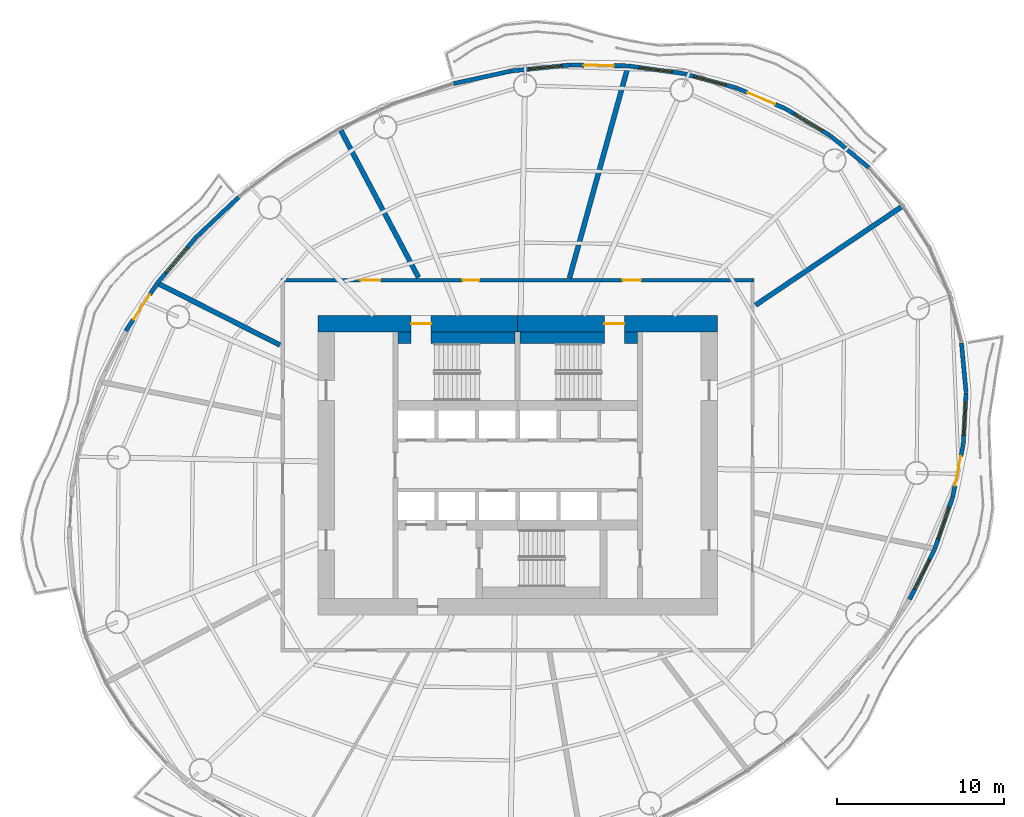
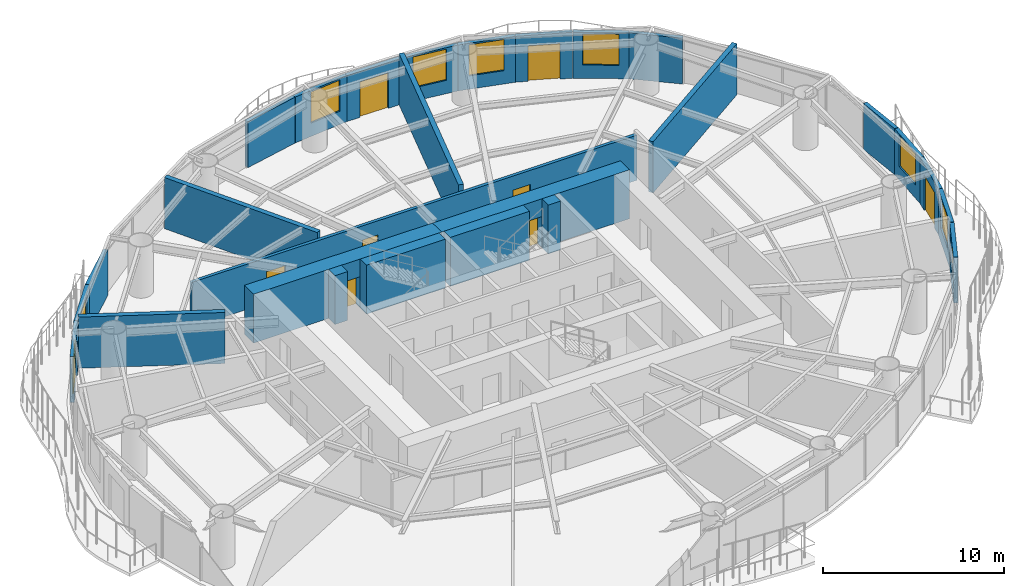
# One storey, part 10 of 16: 27 walls, 9 doors, 8 windows, 17 openings.
"""IFC4 building model written with IfcOpenShell, lengths in metres."""

from ifc_helpers import new_model, si_unit, direction, frame, frame_2d, origin, place, context, subcontext, project, spatial, rectangle, extrude, material, layer, layer_set, type_object, element, fill, save


model = new_model("IFC4")

# Units and contexts
model_context = context("Model", 3, precision=1e-05, world=origin(), true_north=direction((0.0, 1.0)))
body_context = subcontext(model_context, "Body", "Model", "MODEL_VIEW")
ifc_project = project(units=[si_unit("LENGTHUNIT", "METRE"), si_unit("AREAUNIT", "SQUARE_METRE"), si_unit("VOLUMEUNIT", "CUBIC_METRE"), si_unit("PLANEANGLEUNIT", "RADIAN"), si_unit("MASSUNIT", "GRAM", prefix="KILO")], contexts=[model_context])

# Site, building, storey
site_placement = place(None, origin())
site = spatial("IfcSite", under=ifc_project, at=site_placement, CompositionType="ELEMENT")
building_placement = place(site_placement, origin())
building = spatial("IfcBuilding", under=site, at=building_placement, Name="Vermilion Reach Broadcast Tower", CompositionType="ELEMENT")
storey_placement = place(building_placement, frame((0.0, 0.0, 147.0)))
storey = spatial("IfcBuildingStorey", under=building, at=storey_placement, Name="L34", CompositionType="ELEMENT", Elevation=147.0)

# Wall, opening, door
ifc_material_1 = material(Name="Concrete C70", Category="concrete")
ifc_layer_1 = layer(ifc_material_1, 1.0)
ifc_layer_set_1 = layer_set([ifc_layer_1], Name="Core outer wall 1000 mm Concrete C70")
wall_type_1 = type_object("IfcWallType", Name="Core outer wall 1000 mm Concrete C70", PredefinedType="SHEAR", material=ifc_layer_set_1)
wall_1_placement = place(storey_placement, frame((6.0, 8.5, 0.0), z_axis=(0.0, 0.0, 1.0), x_axis=(-1.0, 0.0, 0.0)))
wall_1 = element("IfcWall", 1, at=wall_1_placement, inside=storey, type_object=wall_type_1, Name="L34 core wall onE", PredefinedType="SHEAR", context=body_context, shape_type="SweptSolid", body=[
    extrude(rectangle(XDim=12.0, YDim=1.0, at=frame_2d((6.0, 0.0))), origin(), (0.0, 0.0, 1.0), 3.300048828125),
])
opening_1_placement = place(wall_1_placement, frame((5.60009765625, 0.0, 0.0)))
opening_1 = element("IfcOpeningElement", 2, at=opening_1_placement, cuts=wall_1, Name="Opening D01", PredefinedType="OPENING", context=body_context, shape_type="SweptSolid", body=[
    extrude(rectangle(XDim=1.199951171875, YDim=2.10009765625, at=frame_2d((0.60009765625, 1.050048828125))), frame((0.0, 0.510009765625, 0.0), z_axis=(0.0, -1.0, 0.0), x_axis=(1.0, 0.0, 0.0)), (0.0, 0.0, 1.0), 1.02001953125),
])
ifc_material_2 = material(Name="Painted steel fire door", Category="steel")
door_type_1 = type_object("IfcDoorType", Name="Stair door 1200 x 2100", OperationType="DOUBLE_DOOR_SINGLE_SWING", PredefinedType="NOTDEFINED", material=ifc_material_2)
door_1_placement = place(opening_1_placement, origin())
door_1 = element("IfcDoor", 3, at=door_1_placement, inside=storey, type_object=door_type_1, Name="L34 stair door ST2", OperationType="DOUBLE_DOOR_SINGLE_SWING", OverallHeight=2.10009765625, OverallWidth=1.199951171875, PredefinedType="NOTDEFINED", context=body_context, shape_type="SweptSolid", body=[
    extrude(rectangle(XDim=1.199951171875, YDim=2.10009765625, at=frame_2d((0.60009765625, 1.050048828125))), frame((0.0, 0.02490234375, 0.0), z_axis=(0.0, -1.0, 0.0), x_axis=(1.0, 0.0, 0.0)), (0.0, 0.0, 1.0), 0.050048828125),
])
fill(opening_1, door_1)

wall_2_placement = place(storey_placement, frame((-6.0, 8.5, 0.0), z_axis=(0.0, 0.0, 1.0), x_axis=(-1.0, 0.0, 0.0)))
wall_2 = element("IfcWall", 4, at=wall_2_placement, inside=storey, type_object=wall_type_1, Name="L34 core wall onW", PredefinedType="SHEAR", context=body_context, shape_type="SweptSolid", body=[
    extrude(rectangle(XDim=12.0, YDim=1.0, at=frame_2d((6.0, 0.0))), origin(), (0.0, 0.0, 1.0), 3.300048828125),
])
opening_2_placement = place(wall_2_placement, frame((5.199951171875, 0.0, 0.0)))
opening_2 = element("IfcOpeningElement", 5, at=opening_2_placement, cuts=wall_2, Name="Opening D01", PredefinedType="OPENING", context=body_context, shape_type="SweptSolid", body=[
    extrude(rectangle(XDim=1.199951171875, YDim=2.10009765625, at=frame_2d((0.60009765625, 1.050048828125))), frame((0.0, 0.510009765625, 0.0), z_axis=(0.0, -1.0, 0.0), x_axis=(1.0, 0.0, 0.0)), (0.0, 0.0, 1.0), 1.02001953125),
])
door_2_placement = place(opening_2_placement, origin())
door_2 = element("IfcDoor", 6, at=door_2_placement, inside=storey, type_object=door_type_1, Name="L34 stair door ST1", OperationType="DOUBLE_DOOR_SINGLE_SWING", OverallHeight=2.10009765625, OverallWidth=1.199951171875, PredefinedType="NOTDEFINED", context=body_context, shape_type="SweptSolid", body=[
    extrude(rectangle(XDim=1.199951171875, YDim=2.10009765625, at=frame_2d((0.60009765625, 1.050048828125))), frame((0.0, 0.02490234375, 0.0), z_axis=(0.0, -1.0, 0.0), x_axis=(1.0, 0.0, 0.0)), (0.0, 0.0, 1.0), 0.050048828125),
])
fill(opening_2, door_2)

# Walls
ifc_material_3 = material(Name="Concrete C70", Category="concrete")
ifc_layer_2 = layer(ifc_material_3, 0.699951171875)
ifc_layer_set_2 = layer_set([ifc_layer_2], Name="Core stair wall 700 mm Concrete C70")
wall_type_2 = type_object("IfcWallType", Name="Core stair wall 700 mm Concrete C70", PredefinedType="SHEAR", material=ifc_layer_set_2)
wall_3_placement = place(storey_placement, frame((-13.199951171875, 7.64990234375, 0.0), z_axis=(0.0, 0.0, 1.0), x_axis=(1.0, 0.0, 0.0)))
element("IfcWall", 7, at=wall_3_placement, inside=storey, type_object=wall_type_2, Name="L34 core wall l1a", PredefinedType="SHEAR", context=body_context, shape_type="SweptSolid", body=[
    extrude(rectangle(XDim=0.800048828125, YDim=0.699951171875, at=frame_2d((0.39990234375, 0.0))), origin(), (0.0, 0.0, 1.0), 3.300048828125),
])
for number, where, z_axis, x_axis, name in (
    (8, (-11.199951171875, 7.64990234375, 0.0), (0.0, 0.0, 1.0), (1.0, 0.0, 0.0), "L34 core wall l1b"),
    (9, (-5.85009765625, 7.64990234375, 0.0), (0.0, 0.0, 1.0), (1.0, 0.0, 0.0), "L34 core wall l2a"),
):
    element("IfcWall", number, at=place(storey_placement, frame(where, z_axis=z_axis, x_axis=x_axis)), inside=storey, type_object=wall_type_2, Name=name, PredefinedType="SHEAR", context=body_context, shape_type="SweptSolid", body=[
        extrude(rectangle(XDim=5.050048828125, YDim=0.699951171875, at=frame_2d((2.52490234375, 0.0))), origin(), (0.0, 0.0, 1.0), 3.300048828125),
    ])
wall_4_placement = place(storey_placement, frame((0.39990234375, 7.64990234375, 0.0), z_axis=(0.0, 0.0, 1.0), x_axis=(1.0, 0.0, 0.0)))
element("IfcWall", 10, at=wall_4_placement, inside=storey, type_object=wall_type_2, Name="L34 core wall l2b", PredefinedType="SHEAR", context=body_context, shape_type="SweptSolid", body=[
    extrude(rectangle(XDim=0.800048828125, YDim=0.699951171875, at=frame_2d((0.39990234375, 0.0))), origin(), (0.0, 0.0, 1.0), 3.300048828125),
])
ifc_material_4 = material(Name="Double-leaf plasterboard on isolated steel stud", Category="steel")
ifc_layer_3 = layer(ifc_material_4, 0.300048828125)
ifc_layer_set_3 = layer_set([ifc_layer_3], Name="Partition 300 acoustic double leaf")
wall_type_3 = type_object("IfcWallType", Name="Partition 300 acoustic double leaf", PredefinedType="PARTITIONING", material=ifc_layer_set_3)
wall_5_placement = place(storey_placement, frame((17.024169921875, 15.501953125, 0.0), z_axis=(0.0, 0.0, 1.0), x_axis=(-0.82951075197, -0.558490745104, 0.0)))
element("IfcWall", 11, at=wall_5_placement, inside=storey, type_object=wall_type_3, Name="Partition 34.01", PredefinedType="PARTITIONING", context=body_context, shape_type="SweptSolid", body=[
    extrude(rectangle(XDim=10.536865234375, YDim=0.300048828125, at=frame_2d((5.2685546875, 0.0))), origin(), (0.0, 0.0, 1.0), 3.449951171875),
])
wall_6_placement = place(storey_placement, frame((0.6005859375, 23.85595703125, 0.0), z_axis=(0.0, 0.0, 1.0), x_axis=(-0.266671206276, -0.963787563597, 0.0)))
element("IfcWall", 12, at=wall_6_placement, inside=storey, type_object=wall_type_3, Name="Partition 34.02", PredefinedType="PARTITIONING", context=body_context, shape_type="SweptSolid", body=[
    extrude(rectangle(XDim=13.090087890625, YDim=0.300048828125, at=frame_2d((6.544921875, 0.0))), origin(), (0.0, 0.0, 1.0), 3.449951171875),
])
wall_7_placement = place(storey_placement, frame((-16.6162109375, 20.101318359375, 0.0), z_axis=(0.0, 0.0, 1.0), x_axis=(0.467001313274, -0.884256621915, 0.0)))
element("IfcWall", 13, at=wall_7_placement, inside=storey, type_object=wall_type_3, Name="Partition 34.03", PredefinedType="PARTITIONING", context=body_context, shape_type="SweptSolid", body=[
    extrude(rectangle(XDim=9.9873046875, YDim=0.300048828125, at=frame_2d((4.99365234375, 0.0))), origin(), (0.0, 0.0, 1.0), 3.449951171875),
])
wall_8_placement = place(storey_placement, frame((-27.520263671875, 10.880126953125, 0.0), z_axis=(0.0, 0.0, 1.0), x_axis=(0.89242962945, -0.451186609375, 0.0)))
element("IfcWall", 14, at=wall_8_placement, inside=storey, type_object=wall_type_3, Name="Partition 34.04", PredefinedType="PARTITIONING", context=body_context, shape_type="SweptSolid", body=[
    extrude(rectangle(XDim=8.126953125, YDim=0.300048828125, at=frame_2d((4.0634765625, 0.0))), origin(), (0.0, 0.0, 1.0), 3.449951171875),
])
ifc_material_5 = material(Name="Terracotta rainscreen cladding", Category="masonry")
ifc_layer_4 = layer(ifc_material_5, 0.25)
ifc_layer_set_4 = layer_set([ifc_layer_4], Name="Terracotta rainscreen wall 250")
wall_type_4 = type_object("IfcWallType", Name="Terracotta rainscreen wall 250", PredefinedType="SOLIDWALL", material=ifc_layer_set_4)
wall_9_placement = place(storey_placement, frame((15.087646484375, 17.8671875, 0.0), z_axis=(0.0, 0.0, 1.0), x_axis=(-0.769904678532, 0.638158903389, 0.0)))
element("IfcWall", 15, at=wall_9_placement, inside=storey, type_object=wall_type_4, Name="External wall L34 02", PredefinedType="SOLIDWALL", context=body_context, shape_type="SweptSolid", body=[
    extrude(rectangle(XDim=2.990966796875, YDim=0.25, at=frame_2d((1.49560546875, 0.0))), origin(), (0.0, 0.0, 1.0), 3.10009765625),
])

# Wall, opening, window
wall_10_placement = place(storey_placement, frame((12.763427734375, 19.791259765625, 0.0), z_axis=(0.0, 0.0, 1.0), x_axis=(-0.856079561846, 0.516844061386, 0.0)))
wall_10 = element("IfcWall", 16, at=wall_10_placement, inside=storey, type_object=wall_type_4, Name="External wall L34 03", PredefinedType="SOLIDWALL", context=body_context, shape_type="SweptSolid", body=[
    extrude(rectangle(XDim=3.10107421875, YDim=0.25, at=frame_2d((1.550537109375, 0.0))), origin(), (0.0, 0.0, 1.0), 3.10009765625),
])
opening_3_placement = place(wall_10_placement, frame((0.550537109375, 0.0, 0.89990234375)))
opening_3 = element("IfcOpeningElement", 17, at=opening_3_placement, cuts=wall_10, Name="Opening W03", PredefinedType="OPENING", context=body_context, shape_type="SweptSolid", body=[
    extrude(rectangle(XDim=2.0, YDim=2.10009765625, at=frame_2d((1.0, 1.050048828125))), frame((0.0, 0.135009765625, 0.0), z_axis=(0.0, -1.0, 0.0), x_axis=(1.0, 0.0, 0.0)), (0.0, 0.0, 1.0), 0.27001953125),
])
ifc_material_6 = material(Name="Low-e laminated clear glass in aluminium frame", Category="aluminium")
window_type = type_object("IfcWindowType", Name="Punched window 2000 x 2100 sill 900", PartitioningType="SINGLE_PANEL", PredefinedType="WINDOW", material=ifc_material_6)
window_1_placement = place(opening_3_placement, origin())
window_1 = element("IfcWindow", 18, at=window_1_placement, inside=storey, type_object=window_type, Name="Window L34 03", OverallHeight=2.10009765625, OverallWidth=2.0, PartitioningType="SINGLE_PANEL", PredefinedType="WINDOW", context=body_context, shape_type="SweptSolid", body=[
    extrude(rectangle(XDim=2.0, YDim=2.10009765625, at=frame_2d((1.0, 1.050048828125))), frame((0.0, 0.030029296875, 0.0), z_axis=(0.0, -1.0, 0.0), x_axis=(1.0, 0.0, 0.0)), (0.0, 0.0, 1.0), 0.06005859375),
])
fill(opening_3, window_1)

# Wall, opening, door
wall_11_placement = place(storey_placement, frame((10.085693359375, 21.40576171875, 0.0), z_axis=(0.0, 0.0, 1.0), x_axis=(-0.920752187735, 0.390147931919, 0.0)))
wall_11 = element("IfcWall", 19, at=wall_11_placement, inside=storey, type_object=wall_type_4, Name="External wall L34 04", PredefinedType="SOLIDWALL", context=body_context, shape_type="SweptSolid", body=[
    extrude(rectangle(XDim=3.1826171875, YDim=0.25, at=frame_2d((1.59130859375, 0.0))), origin(), (0.0, 0.0, 1.0), 3.10009765625),
])
opening_4_placement = place(wall_11_placement, frame((0.69091796875, 0.0, 0.0)))
opening_4 = element("IfcOpeningElement", 20, at=opening_4_placement, cuts=wall_11, Name="Opening D70", PredefinedType="OPENING", context=body_context, shape_type="SweptSolid", body=[
    extrude(rectangle(XDim=1.800048828125, YDim=2.39990234375, at=frame_2d((0.89990234375, 1.199951171875))), frame((0.0, 0.135009765625, 0.0), z_axis=(0.0, -1.0, 0.0), x_axis=(1.0, 0.0, 0.0)), (0.0, 0.0, 1.0), 0.27001953125),
])
ifc_material_7 = material(Name="Low-e laminated clear glass in aluminium frame", Category="aluminium")
door_type_2 = type_object("IfcDoorType", Name="Balcony sliding door 1800 x 2400", OperationType="DOUBLE_DOOR_SLIDING", PredefinedType="DOOR", material=ifc_material_7)
door_3_placement = place(opening_4_placement, origin())
door_3 = element("IfcDoor", 21, at=door_3_placement, inside=storey, type_object=door_type_2, Name="Balcony door L34 run 01", OperationType="DOUBLE_DOOR_SLIDING", OverallHeight=2.39990234375, OverallWidth=1.800048828125, PredefinedType="DOOR", context=body_context, shape_type="SweptSolid", body=[
    extrude(rectangle(XDim=1.800048828125, YDim=2.39990234375, at=frame_2d((0.89990234375, 1.199951171875))), frame((0.0, 0.02490234375, 0.0), z_axis=(0.0, -1.0, 0.0), x_axis=(1.0, 0.0, 0.0)), (0.0, 0.0, 1.0), 0.050048828125),
])
fill(opening_4, door_3)

# Wall, opening, window
wall_12_placement = place(storey_placement, frame((7.131591796875, 22.65576171875, 0.0), z_axis=(0.0, 0.0, 1.0), x_axis=(-0.964946127674, 0.262448034261, 0.0)))
wall_12 = element("IfcWall", 22, at=wall_12_placement, inside=storey, type_object=wall_type_4, Name="External wall L34 05", PredefinedType="SOLIDWALL", context=body_context, shape_type="SweptSolid", body=[
    extrude(rectangle(XDim=3.271728515625, YDim=0.25, at=frame_2d((1.6357421875, 0.0))), origin(), (0.0, 0.0, 1.0), 3.10009765625),
])
opening_5_placement = place(wall_12_placement, frame((0.635986328125, 0.0, 0.89990234375)))
opening_5 = element("IfcOpeningElement", 23, at=opening_5_placement, cuts=wall_12, Name="Opening W03", PredefinedType="OPENING", context=body_context, shape_type="SweptSolid", body=[
    extrude(rectangle(XDim=2.0, YDim=2.10009765625, at=frame_2d((1.0, 1.050048828125))), frame((0.0, 0.135009765625, 0.0), z_axis=(0.0, -1.0, 0.0), x_axis=(1.0, 0.0, 0.0)), (0.0, 0.0, 1.0), 0.27001953125),
])
window_2_placement = place(opening_5_placement, origin())
window_2 = element("IfcWindow", 24, at=window_2_placement, inside=storey, type_object=window_type, Name="Window L34 05", OverallHeight=2.10009765625, OverallWidth=2.0, PartitioningType="SINGLE_PANEL", PredefinedType="WINDOW", context=body_context, shape_type="SweptSolid", body=[
    extrude(rectangle(XDim=2.0, YDim=2.10009765625, at=frame_2d((1.0, 1.050048828125))), frame((0.0, 0.030029296875, 0.0), z_axis=(0.0, -1.0, 0.0), x_axis=(1.0, 0.0, 0.0)), (0.0, 0.0, 1.0), 0.06005859375),
])
fill(opening_5, window_2)

wall_13_placement = place(storey_placement, frame((3.951171875, 23.519287109375, 0.0), z_axis=(0.0, 0.0, 1.0), x_axis=(-0.990602473809, 0.13677258089, 0.0)))
wall_13 = element("IfcWall", 25, at=wall_13_placement, inside=storey, type_object=wall_type_4, Name="External wall L34 06", PredefinedType="SOLIDWALL", context=body_context, shape_type="SweptSolid", body=[
    extrude(rectangle(XDim=3.361083984375, YDim=0.25, at=frame_2d((1.6806640625, 0.0))), origin(), (0.0, 0.0, 1.0), 3.10009765625),
])
opening_6_placement = place(wall_13_placement, frame((0.6806640625, 0.0, 0.89990234375)))
opening_6 = element("IfcOpeningElement", 26, at=opening_6_placement, cuts=wall_13, Name="Opening W03", PredefinedType="OPENING", context=body_context, shape_type="SweptSolid", body=[
    extrude(rectangle(XDim=2.0, YDim=2.10009765625, at=frame_2d((1.0, 1.050048828125))), frame((0.0, 0.135009765625, 0.0), z_axis=(0.0, -1.0, 0.0), x_axis=(1.0, 0.0, 0.0)), (0.0, 0.0, 1.0), 0.27001953125),
])
window_3_placement = place(opening_6_placement, origin())
window_3 = element("IfcWindow", 27, at=window_3_placement, inside=storey, type_object=window_type, Name="Window L34 06", OverallHeight=2.10009765625, OverallWidth=2.0, PartitioningType="SINGLE_PANEL", PredefinedType="WINDOW", context=body_context, shape_type="SweptSolid", body=[
    extrude(rectangle(XDim=2.0, YDim=2.10009765625, at=frame_2d((1.0, 1.050048828125))), frame((0.0, 0.030029296875, 0.0), z_axis=(0.0, -1.0, 0.0), x_axis=(1.0, 0.0, 0.0)), (0.0, 0.0, 1.0), 0.06005859375),
])
fill(opening_6, window_3)

# Wall, opening, door
wall_14_placement = place(storey_placement, frame((0.598388671875, 23.980712890625, 0.0), z_axis=(0.0, 0.0, 1.0), x_axis=(-0.999886095883, 0.015092887706, 0.0)))
wall_14 = element("IfcWall", 28, at=wall_14_placement, inside=storey, type_object=wall_type_4, Name="External wall L34 07", PredefinedType="SOLIDWALL", context=body_context, shape_type="SweptSolid", body=[
    extrude(rectangle(XDim=3.445556640625, YDim=0.25, at=frame_2d((1.72265625, 0.0))), origin(), (0.0, 0.0, 1.0), 3.10009765625),
])
opening_7_placement = place(wall_14_placement, frame((0.822998046875, 0.0, 0.0)))
opening_7 = element("IfcOpeningElement", 29, at=opening_7_placement, cuts=wall_14, Name="Opening D70", PredefinedType="OPENING", context=body_context, shape_type="SweptSolid", body=[
    extrude(rectangle(XDim=1.800048828125, YDim=2.39990234375, at=frame_2d((0.89990234375, 1.199951171875))), frame((0.0, 0.135009765625, 0.0), z_axis=(0.0, -1.0, 0.0), x_axis=(1.0, 0.0, 0.0)), (0.0, 0.0, 1.0), 0.27001953125),
])
door_4_placement = place(opening_7_placement, origin())
door_4 = element("IfcDoor", 30, at=door_4_placement, inside=storey, type_object=door_type_2, Name="Balcony door L34 run 02", OperationType="DOUBLE_DOOR_SLIDING", OverallHeight=2.39990234375, OverallWidth=1.800048828125, PredefinedType="DOOR", context=body_context, shape_type="SweptSolid", body=[
    extrude(rectangle(XDim=1.800048828125, YDim=2.39990234375, at=frame_2d((0.89990234375, 1.199951171875))), frame((0.0, 0.02490234375, 0.0), z_axis=(0.0, -1.0, 0.0), x_axis=(1.0, 0.0, 0.0)), (0.0, 0.0, 1.0), 0.050048828125),
])
fill(opening_7, door_4)

# Wall, opening, window
wall_15_placement = place(storey_placement, frame((-2.869384765625, 24.03173828125, 0.0), z_axis=(0.0, 0.0, 1.0), x_axis=(-0.994814248005, -0.101708465554, 0.0)))
wall_15 = element("IfcWall", 31, at=wall_15_placement, inside=storey, type_object=wall_type_4, Name="External wall L34 08", PredefinedType="SOLIDWALL", context=body_context, shape_type="SweptSolid", body=[
    extrude(rectangle(XDim=3.51904296875, YDim=0.25, at=frame_2d((1.759521484375, 0.0))), origin(), (0.0, 0.0, 1.0), 3.10009765625),
])
opening_8_placement = place(wall_15_placement, frame((0.4599609375, 0.0, 0.89990234375)))
opening_8 = element("IfcOpeningElement", 32, at=opening_8_placement, cuts=wall_15, Name="Opening W03", PredefinedType="OPENING", context=body_context, shape_type="SweptSolid", body=[
    extrude(rectangle(XDim=2.0, YDim=2.10009765625, at=frame_2d((1.0, 1.050048828125))), frame((0.0, 0.135009765625, 0.0), z_axis=(0.0, -1.0, 0.0), x_axis=(1.0, 0.0, 0.0)), (0.0, 0.0, 1.0), 0.27001953125),
])
window_4_placement = place(opening_8_placement, origin())
window_4 = element("IfcWindow", 33, at=window_4_placement, inside=storey, type_object=window_type, Name="Window L34 08", OverallHeight=2.10009765625, OverallWidth=2.0, PartitioningType="SINGLE_PANEL", PredefinedType="WINDOW", context=body_context, shape_type="SweptSolid", body=[
    extrude(rectangle(XDim=2.0, YDim=2.10009765625, at=frame_2d((1.0, 1.050048828125))), frame((0.0, 0.030029296875, 0.0), z_axis=(0.0, -1.0, 0.0), x_axis=(1.0, 0.0, 0.0)), (0.0, 0.0, 1.0), 0.06005859375),
])
fill(opening_8, window_4)

# Walls
for number, where, z_axis, x_axis, name in (
    (34, (-6.391845703125, 23.67041015625, 0.0), (0.0, 0.0, 1.0), (-0.97705524613, -0.212986023038, 0.0), "External wall L34 09"),
    (35, (-22.760009765625, 16.0966796875, 0.0), (0.0, 0.0, 1.0), (-0.72679086529, -0.68685881965, 0.0), "External wall L34 14"),
):
    element("IfcWall", number, at=place(storey_placement, frame(where, z_axis=z_axis, x_axis=x_axis)), inside=storey, type_object=wall_type_4, Name=name, PredefinedType="SOLIDWALL", context=body_context, shape_type="SweptSolid", body=[
        extrude(rectangle(XDim=3.533935546875, YDim=0.25, at=frame_2d((1.76708984375, 0.0))), origin(), (0.0, 0.0, 1.0), 3.10009765625),
    ])

# Wall, opening, window
wall_16_placement = place(storey_placement, frame((-25.343505859375, 13.6533203125, 0.0), z_axis=(0.0, 0.0, 1.0), x_axis=(-0.644846877048, -0.764311785308, 0.0)))
wall_16 = element("IfcWall", 36, at=wall_16_placement, inside=storey, type_object=wall_type_4, Name="External wall L34 15", PredefinedType="SOLIDWALL", context=body_context, shape_type="SweptSolid", body=[
    extrude(rectangle(XDim=3.51904296875, YDim=0.25, at=frame_2d((1.759521484375, 0.0))), origin(), (0.0, 0.0, 1.0), 3.10009765625),
])
opening_9_placement = place(wall_16_placement, frame((0.759521484375, 0.0, 0.89990234375)))
opening_9 = element("IfcOpeningElement", 37, at=opening_9_placement, cuts=wall_16, Name="Opening W03", PredefinedType="OPENING", context=body_context, shape_type="SweptSolid", body=[
    extrude(rectangle(XDim=2.0, YDim=2.10009765625, at=frame_2d((1.0, 1.050048828125))), frame((0.0, 0.135009765625, 0.0), z_axis=(0.0, -1.0, 0.0), x_axis=(1.0, 0.0, 0.0)), (0.0, 0.0, 1.0), 0.27001953125),
])
window_5_placement = place(opening_9_placement, origin())
window_5 = element("IfcWindow", 38, at=window_5_placement, inside=storey, type_object=window_type, Name="Window L34 15", OverallHeight=2.10009765625, OverallWidth=2.0, PartitioningType="SINGLE_PANEL", PredefinedType="WINDOW", context=body_context, shape_type="SweptSolid", body=[
    extrude(rectangle(XDim=2.0, YDim=2.10009765625, at=frame_2d((1.0, 1.050048828125))), frame((0.0, 0.030029296875, 0.0), z_axis=(0.0, -1.0, 0.0), x_axis=(1.0, 0.0, 0.0)), (0.0, 0.0, 1.0), 0.06005859375),
])
fill(opening_9, window_5)

# Wall, opening, door
wall_17_placement = place(storey_placement, frame((-27.62646484375, 10.945556640625, 0.0), z_axis=(0.0, 0.0, 1.0), x_axis=(-0.551326854006, -0.834289338331, 0.0)))
wall_17 = element("IfcWall", 39, at=wall_17_placement, inside=storey, type_object=wall_type_4, Name="External wall L34 16", PredefinedType="SOLIDWALL", context=body_context, shape_type="SweptSolid", body=[
    extrude(rectangle(XDim=3.445068359375, YDim=0.25, at=frame_2d((1.72265625, 0.0))), origin(), (0.0, 0.0, 1.0), 3.10009765625),
])
opening_10_placement = place(wall_17_placement, frame((0.822998046875, 0.0, 0.0)))
opening_10 = element("IfcOpeningElement", 40, at=opening_10_placement, cuts=wall_17, Name="Opening D70", PredefinedType="OPENING", context=body_context, shape_type="SweptSolid", body=[
    extrude(rectangle(XDim=1.800048828125, YDim=2.39990234375, at=frame_2d((0.89990234375, 1.199951171875))), frame((0.0, 0.135009765625, 0.0), z_axis=(0.0, -1.0, 0.0), x_axis=(1.0, 0.0, 0.0)), (0.0, 0.0, 1.0), 0.27001953125),
])
door_5_placement = place(opening_10_placement, origin())
door_5 = element("IfcDoor", 41, at=door_5_placement, inside=storey, type_object=door_type_2, Name="Balcony door L34 run 04", OperationType="DOUBLE_DOOR_SLIDING", OverallHeight=2.39990234375, OverallWidth=1.800048828125, PredefinedType="DOOR", context=body_context, shape_type="SweptSolid", body=[
    extrude(rectangle(XDim=1.800048828125, YDim=2.39990234375, at=frame_2d((0.89990234375, 1.199951171875))), frame((0.0, 0.02490234375, 0.0), z_axis=(0.0, -1.0, 0.0), x_axis=(1.0, 0.0, 0.0)), (0.0, 0.0, 1.0), 0.050048828125),
])
fill(opening_10, door_5)

# Wall, opening, window
wall_18_placement = place(storey_placement, frame((17.53759765625, -8.051025390625, 0.0), z_axis=(0.0, 0.0, 1.0), x_axis=(0.445527727944, 0.895268140633, 0.0)))
wall_18 = element("IfcWall", 42, at=wall_18_placement, inside=storey, type_object=wall_type_4, Name="External wall L34 41", PredefinedType="SOLIDWALL", context=body_context, shape_type="SweptSolid", body=[
    extrude(rectangle(XDim=3.361328125, YDim=0.25, at=frame_2d((1.6806640625, 0.0))), origin(), (0.0, 0.0, 1.0), 3.10009765625),
])
opening_11_placement = place(wall_18_placement, frame((0.6806640625, 0.0, 0.89990234375)))
opening_11 = element("IfcOpeningElement", 43, at=opening_11_placement, cuts=wall_18, Name="Opening W03", PredefinedType="OPENING", context=body_context, shape_type="SweptSolid", body=[
    extrude(rectangle(XDim=2.0, YDim=2.10009765625, at=frame_2d((1.0, 1.050048828125))), frame((0.0, 0.135009765625, 0.0), z_axis=(0.0, -1.0, 0.0), x_axis=(1.0, 0.0, 0.0)), (0.0, 0.0, 1.0), 0.27001953125),
])
window_6_placement = place(opening_11_placement, origin())
window_6 = element("IfcWindow", 44, at=window_6_placement, inside=storey, type_object=window_type, Name="Window L34 41", OverallHeight=2.10009765625, OverallWidth=2.0, PartitioningType="SINGLE_PANEL", PredefinedType="WINDOW", context=body_context, shape_type="SweptSolid", body=[
    extrude(rectangle(XDim=2.0, YDim=2.10009765625, at=frame_2d((1.0, 1.050048828125))), frame((0.0, 0.030029296875, 0.0), z_axis=(0.0, -1.0, 0.0), x_axis=(1.0, 0.0, 0.0)), (0.0, 0.0, 1.0), 0.06005859375),
])
fill(opening_11, window_6)

wall_19_placement = place(storey_placement, frame((19.04443359375, -5.019775390625, 0.0), z_axis=(0.0, 0.0, 1.0), x_axis=(0.327287400889, 0.944924842101, 0.0)))
wall_19 = element("IfcWall", 45, at=wall_19_placement, inside=storey, type_object=wall_type_4, Name="External wall L34 42", PredefinedType="SOLIDWALL", context=body_context, shape_type="SweptSolid", body=[
    extrude(rectangle(XDim=3.271728515625, YDim=0.25, at=frame_2d((1.6357421875, 0.0))), origin(), (0.0, 0.0, 1.0), 3.10009765625),
])
opening_12_placement = place(wall_19_placement, frame((0.635986328125, 0.0, 0.89990234375)))
opening_12 = element("IfcOpeningElement", 46, at=opening_12_placement, cuts=wall_19, Name="Opening W03", PredefinedType="OPENING", context=body_context, shape_type="SweptSolid", body=[
    extrude(rectangle(XDim=2.0, YDim=2.10009765625, at=frame_2d((1.0, 1.050048828125))), frame((0.0, 0.135009765625, 0.0), z_axis=(0.0, -1.0, 0.0), x_axis=(1.0, 0.0, 0.0)), (0.0, 0.0, 1.0), 0.27001953125),
])
window_7_placement = place(opening_12_placement, origin())
window_7 = element("IfcWindow", 47, at=window_7_placement, inside=storey, type_object=window_type, Name="Window L34 42", OverallHeight=2.10009765625, OverallWidth=2.0, PartitioningType="SINGLE_PANEL", PredefinedType="WINDOW", context=body_context, shape_type="SweptSolid", body=[
    extrude(rectangle(XDim=2.0, YDim=2.10009765625, at=frame_2d((1.0, 1.050048828125))), frame((0.0, 0.030029296875, 0.0), z_axis=(0.0, -1.0, 0.0), x_axis=(1.0, 0.0, 0.0)), (0.0, 0.0, 1.0), 0.06005859375),
])
fill(opening_12, window_7)

# Wall, opening, door
wall_20_placement = place(storey_placement, frame((20.121826171875, -1.904052734375, 0.0), z_axis=(0.0, 0.0, 1.0), x_axis=(0.196824126918, 0.980438811483, 0.0)))
wall_20 = element("IfcWall", 48, at=wall_20_placement, inside=storey, type_object=wall_type_4, Name="External wall L34 43", PredefinedType="SOLIDWALL", context=body_context, shape_type="SweptSolid", body=[
    extrude(rectangle(XDim=3.182861328125, YDim=0.25, at=frame_2d((1.59130859375, 0.0))), origin(), (0.0, 0.0, 1.0), 3.10009765625),
])
opening_13_placement = place(wall_20_placement, frame((0.69091796875, 0.0, 0.0)))
opening_13 = element("IfcOpeningElement", 49, at=opening_13_placement, cuts=wall_20, Name="Opening D70", PredefinedType="OPENING", context=body_context, shape_type="SweptSolid", body=[
    extrude(rectangle(XDim=1.800048828125, YDim=2.39990234375, at=frame_2d((0.89990234375, 1.199951171875))), frame((0.0, 0.135009765625, 0.0), z_axis=(0.0, -1.0, 0.0), x_axis=(1.0, 0.0, 0.0)), (0.0, 0.0, 1.0), 0.27001953125),
])
door_6_placement = place(opening_13_placement, origin())
door_6 = element("IfcDoor", 50, at=door_6_placement, inside=storey, type_object=door_type_2, Name="Balcony door L34 run 11", OperationType="DOUBLE_DOOR_SLIDING", OverallHeight=2.39990234375, OverallWidth=1.800048828125, PredefinedType="DOOR", context=body_context, shape_type="SweptSolid", body=[
    extrude(rectangle(XDim=1.800048828125, YDim=2.39990234375, at=frame_2d((0.89990234375, 1.199951171875))), frame((0.0, 0.02490234375, 0.0), z_axis=(0.0, -1.0, 0.0), x_axis=(1.0, 0.0, 0.0)), (0.0, 0.0, 1.0), 0.050048828125),
])
fill(opening_13, door_6)

# Wall, opening, window
wall_21_placement = place(storey_placement, frame((20.751708984375, 1.241943359375, 0.0), z_axis=(0.0, 0.0, 1.0), x_axis=(0.055823234229, 0.998440667501, 0.0)))
wall_21 = element("IfcWall", 51, at=wall_21_placement, inside=storey, type_object=wall_type_4, Name="External wall L34 44", PredefinedType="SOLIDWALL", context=body_context, shape_type="SweptSolid", body=[
    extrude(rectangle(XDim=3.100830078125, YDim=0.25, at=frame_2d((1.55029296875, 0.0))), origin(), (0.0, 0.0, 1.0), 3.10009765625),
])
opening_14_placement = place(wall_21_placement, frame((0.550537109375, 0.0, 0.89990234375)))
opening_14 = element("IfcOpeningElement", 52, at=opening_14_placement, cuts=wall_21, Name="Opening W03", PredefinedType="OPENING", context=body_context, shape_type="SweptSolid", body=[
    extrude(rectangle(XDim=2.0, YDim=2.10009765625, at=frame_2d((1.0, 1.050048828125))), frame((0.0, 0.135009765625, 0.0), z_axis=(0.0, -1.0, 0.0), x_axis=(1.0, 0.0, 0.0)), (0.0, 0.0, 1.0), 0.27001953125),
])
window_8_placement = place(opening_14_placement, origin())
window_8 = element("IfcWindow", 53, at=window_8_placement, inside=storey, type_object=window_type, Name="Window L34 44", OverallHeight=2.10009765625, OverallWidth=2.0, PartitioningType="SINGLE_PANEL", PredefinedType="WINDOW", context=body_context, shape_type="SweptSolid", body=[
    extrude(rectangle(XDim=2.0, YDim=2.10009765625, at=frame_2d((1.0, 1.050048828125))), frame((0.0, 0.030029296875, 0.0), z_axis=(0.0, -1.0, 0.0), x_axis=(1.0, 0.0, 0.0)), (0.0, 0.0, 1.0), 0.06005859375),
])
fill(opening_14, window_8)

# Wall
wall_22_placement = place(storey_placement, frame((20.92431640625, 4.364501953125, 0.0), z_axis=(0.0, 0.0, 1.0), x_axis=(-0.093052449372, 0.995661208276, 0.0)))
element("IfcWall", 54, at=wall_22_placement, inside=storey, type_object=wall_type_4, Name="External wall L34 45", PredefinedType="SOLIDWALL", context=body_context, shape_type="SweptSolid", body=[
    extrude(rectangle(XDim=2.990966796875, YDim=0.25, at=frame_2d((1.49560546875, 0.0))), origin(), (0.0, 0.0, 1.0), 3.10009765625),
])

# Wall, openings, doors
ifc_material_8 = material(Name="Fire-rated gypsum board partition")
ifc_layer_5 = layer(ifc_material_8, 0.199951171875)
ifc_layer_set_5 = layer_set([ifc_layer_5], Name="Under girder: Corridor wall 200 fire-rated")
wall_type_5 = type_object("IfcWallType", Name="Under girder: Corridor wall 200 fire-rated", PredefinedType="PARTITIONING", material=ifc_layer_set_5)
wall_23_placement = place(storey_placement, frame((-20.199951171875, 11.10009765625, 0.0), z_axis=(0.0, 0.0, 1.0), x_axis=(1.0, 0.0, 0.0)))
wall_23 = element("IfcWall", 55, at=wall_23_placement, inside=storey, type_object=wall_type_5, Name="Corridor wall 34.N", PredefinedType="PARTITIONING", context=body_context, shape_type="SweptSolid", body=[
    extrude(rectangle(XDim=28.39990234375, YDim=0.199951171875, at=frame_2d((14.199951171875, 0.0))), origin(), (0.0, 0.0, 1.0), 3.050048828125),
])
opening_15_placement = place(wall_23_placement, frame((20.499267578125, 0.0, 0.0)))
opening_15 = element("IfcOpeningElement", 56, at=opening_15_placement, cuts=wall_23, Name="Opening D28", PredefinedType="OPENING", context=body_context, shape_type="SweptSolid", body=[
    extrude(rectangle(XDim=1.10009765625, YDim=2.10009765625, at=frame_2d((0.550048828125, 1.050048828125))), frame((0.0, 0.10986328125, 0.0), z_axis=(0.0, -1.0, 0.0), x_axis=(1.0, 0.0, 0.0)), (0.0, 0.0, 1.0), 0.219970703125),
])
opening_16_placement = place(wall_23_placement, frame((10.88916015625, 0.0, 0.0)))
opening_16 = element("IfcOpeningElement", 57, at=opening_16_placement, cuts=wall_23, Name="Opening D20", PredefinedType="OPENING", context=body_context, shape_type="SweptSolid", body=[
    extrude(rectangle(XDim=1.0, YDim=2.10009765625, at=frame_2d((0.5, 1.050048828125))), frame((0.0, 0.10986328125, 0.0), z_axis=(0.0, -1.0, 0.0), x_axis=(1.0, 0.0, 0.0)), (0.0, 0.0, 1.0), 0.219970703125),
])
opening_17_placement = place(wall_23_placement, frame((4.759521484375, 0.0, 0.0)))
opening_17 = element("IfcOpeningElement", 58, at=opening_17_placement, cuts=wall_23, Name="Opening D26", PredefinedType="OPENING", context=body_context, shape_type="SweptSolid", body=[
    extrude(rectangle(XDim=1.199951171875, YDim=2.10009765625, at=frame_2d((0.60009765625, 1.050048828125))), frame((0.0, 0.10986328125, 0.0), z_axis=(0.0, -1.0, 0.0), x_axis=(1.0, 0.0, 0.0)), (0.0, 0.0, 1.0), 0.219970703125),
])
ifc_material_9 = material(Name="Timber door leaf", Category="wood")
door_type_3 = type_object("IfcDoorType", Name="Door single 1000x2100", OperationType="NOTDEFINED", PredefinedType="DOOR", material=ifc_material_9)
door_7_placement = place(opening_16_placement, origin())
door_7 = element("IfcDoor", 59, at=door_7_placement, inside=storey, type_object=door_type_3, Name="Door 34.02", OperationType="SINGLE_SWING_LEFT", OverallHeight=2.10009765625, OverallWidth=1.0, PredefinedType="DOOR", context=body_context, shape_type="SweptSolid", body=[
    extrude(rectangle(XDim=1.0, YDim=2.10009765625, at=frame_2d((0.5, 1.050048828125))), frame((0.0, 0.02490234375, 0.0), z_axis=(0.0, -1.0, 0.0), x_axis=(1.0, 0.0, 0.0)), (0.0, 0.0, 1.0), 0.050048828125),
])
fill(opening_16, door_7)
ifc_material_10 = material(Name="Acoustic sound-lock door leaf")
door_type_4 = type_object("IfcDoorType", Name="Door single 1100x2100", OperationType="NOTDEFINED", PredefinedType="DOOR", material=ifc_material_10)
door_8_placement = place(opening_15_placement, origin())
door_8 = element("IfcDoor", 60, at=door_8_placement, inside=storey, type_object=door_type_4, Name="Door 34.01", OperationType="SINGLE_SWING_LEFT", OverallHeight=2.10009765625, OverallWidth=1.10009765625, PredefinedType="DOOR", context=body_context, shape_type="SweptSolid", body=[
    extrude(rectangle(XDim=1.10009765625, YDim=2.10009765625, at=frame_2d((0.550048828125, 1.050048828125))), frame((0.0, 0.02490234375, 0.0), z_axis=(0.0, -1.0, 0.0), x_axis=(1.0, 0.0, 0.0)), (0.0, 0.0, 1.0), 0.050048828125),
])
fill(opening_15, door_8)
ifc_material_11 = material(Name="Acoustic timber door leaf", Category="wood")
door_type_5 = type_object("IfcDoorType", Name="Door single 1200x2100", OperationType="NOTDEFINED", PredefinedType="DOOR", material=ifc_material_11)
door_9_placement = place(opening_17_placement, origin())
door_9 = element("IfcDoor", 61, at=door_9_placement, inside=storey, type_object=door_type_5, Name="Door 34.03", OperationType="SINGLE_SWING_RIGHT", OverallHeight=2.10009765625, OverallWidth=1.199951171875, PredefinedType="DOOR", context=body_context, shape_type="SweptSolid", body=[
    extrude(rectangle(XDim=1.199951171875, YDim=2.10009765625, at=frame_2d((0.60009765625, 1.050048828125))), frame((0.0, 0.02490234375, 0.0), z_axis=(0.0, -1.0, 0.0), x_axis=(1.0, 0.0, 0.0)), (0.0, 0.0, 1.0), 0.050048828125),
])
fill(opening_17, door_9)

save(model, "model.ifc")
